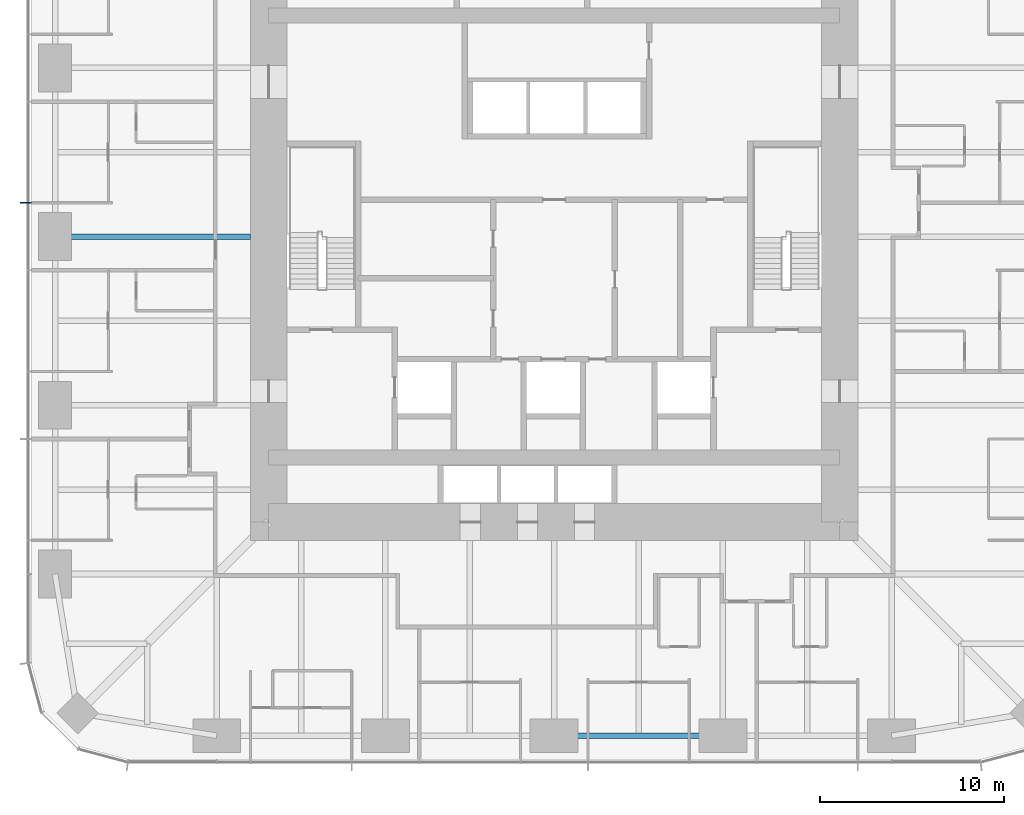
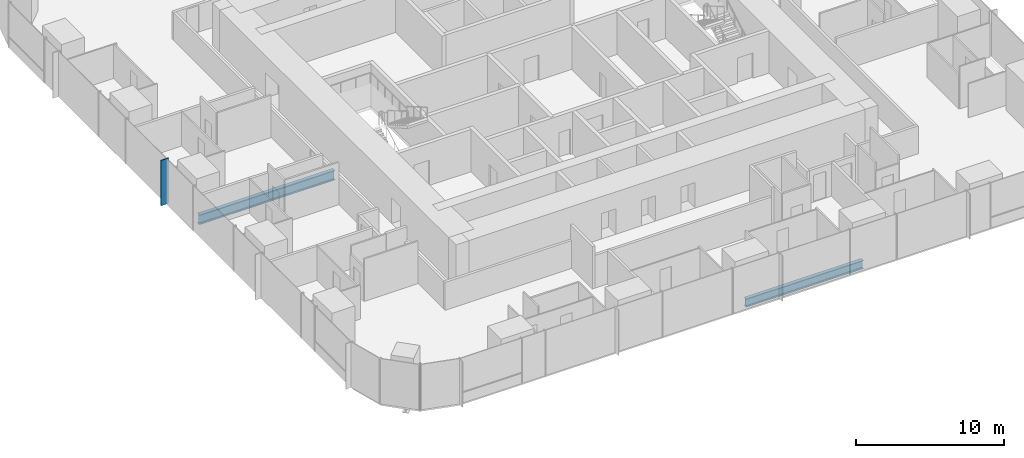
# One storey, part 3 of 13: 2 beams, 1 member, 1 element without a shape of its own.
"""IFC4 building model written with IfcOpenShell, lengths in metres."""

from ifc_helpers import new_model, si_unit, direction, frame, origin, origin_2d, place, context, subcontext, project, spatial, rectangle, i_section, extrude, material, material_profile, profile_set, type_object, element, aggregate, save


model = new_model("IFC4")

# Units and contexts
model_context = context("Model", 3, precision=1e-05, world=origin(), true_north=direction((0.0, 1.0)))
body_context = subcontext(model_context, "Body", "Model", "MODEL_VIEW")
ifc_project = project(units=[si_unit("LENGTHUNIT", "METRE"), si_unit("AREAUNIT", "SQUARE_METRE"), si_unit("VOLUMEUNIT", "CUBIC_METRE"), si_unit("PLANEANGLEUNIT", "RADIAN"), si_unit("MASSUNIT", "GRAM", prefix="KILO")], contexts=[model_context])

# Site, building, storey
site_placement = place(None, origin())
site = spatial("IfcSite", under=ifc_project, at=site_placement, CompositionType="ELEMENT")
building_placement = place(site_placement, origin())
building = spatial("IfcBuilding", under=site, at=building_placement, Name="Khuree Lantern Residences", CompositionType="ELEMENT")
storey_placement = place(building_placement, frame((0.0, 0.0, 156.0)))
storey = spatial("IfcBuildingStorey", under=building, at=storey_placement, Name="L39", CompositionType="ELEMENT", Elevation=156.0)

# Beam
ifc_material_1 = material(Name="Steel S355", Category="steel")
ifc_material_profile_1 = material_profile(ifc_material_1, i_section(OverallWidth=0.300048828125, OverallDepth=0.68994140625, WebThickness=0.014404296875, FlangeThickness=0.027099609375, FilletRadius=0.027099609375, at=origin_2d()), Name="HE 700 A")
ifc_profile_set_1 = profile_set([ifc_material_profile_1], Name="Steel S355")
beam_type_1 = type_object("IfcBeamType", Name="E-24 SPANDREL BEAM HE 700 A", PredefinedType="SPANDREL", material=ifc_profile_set_1)
beam_1_placement = place(storey_placement, frame((9.159912109375, -27.10009765625, -0.594970703125), z_axis=(-1.0, 0.0, 0.0), x_axis=(0.0, -1.0, 0.0)))
element("IfcBeam", 1, at=beam_1_placement, inside=storey, type_object=beam_type_1, Name="Spandrel beam S3", PredefinedType="SPANDREL", context=body_context, shape_type="SweptSolid", body=[
    extrude(i_section(OverallWidth=0.300048828125, OverallDepth=0.68994140625, WebThickness=0.014404296875, FlangeThickness=0.027099609375, FilletRadius=0.027099609375, at=origin_2d()), origin(), (0.0, 0.0, 1.0), 9.159912109375),
])

# Curtain wall, member
ifc_material_2 = material(Name="Bronze anodised aluminium", Category="aluminium")
curtain_wall_type = type_object("IfcCurtainWallType", Name="CW-T1 TOWER FACE CURTAIN WALL", PredefinedType="USERDEFINED", material=ifc_material_2)
curtain_wall_placement = place(storey_placement, origin())
curtain_wall = element("IfcCurtainWall", 2, at=curtain_wall_placement, inside=storey, type_object=curtain_wall_type, Name="L39 WEST FACE CURTAIN WALL", ObjectType="Stick-built curtain wall", PredefinedType="USERDEFINED")
ifc_material_profile_2 = material_profile(ifc_material_2, rectangle(XDim=0.06494140625, YDim=0.60009765625, at=origin_2d()), Name="F1 65X600")
ifc_profile_set_2 = profile_set([ifc_material_profile_2], Name="Bronze anodised aluminium")
member_type = type_object("IfcMemberType", Name="F1 BRONZE FIN MULLION TOWER 65X600", PredefinedType="MULLION", material=ifc_profile_set_2)
member_placement = place(storey_placement, frame((-28.699951171875, 1.83203125, 0.0), z_axis=(0.0, 0.0, 1.0), x_axis=(0.0, -1.0, 0.0)))
member = element("IfcMember", 3, at=member_placement, type_object=member_type, Name="L39 WEST FACE FIN MULLION 37", PredefinedType="MULLION", context=body_context, shape_type="SweptSolid", body=[
    extrude(rectangle(XDim=0.06494140625, YDim=0.60009765625, at=origin_2d()), origin(), (0.0, 0.0, 1.0), 3.75),
])
aggregate(curtain_wall, [member])

# Beam
ifc_material_profile_3 = material_profile(ifc_material_1, i_section(OverallWidth=0.300048828125, OverallDepth=0.800048828125, WebThickness=0.017578125, FlangeThickness=0.032958984375, FilletRadius=0.030029296875, at=origin_2d()), Name="HE 800 B")
ifc_profile_set_3 = profile_set([ifc_material_profile_3], Name="Steel S355")
beam_type_2 = type_object("IfcBeamType", Name="G-24 GIRDER HE 800 B", PredefinedType="BEAM", material=ifc_profile_set_3)
beam_2_placement = place(storey_placement, frame((-27.10009765625, 0.0, -0.64990234375), z_axis=(1.0, 0.0, 0.0), x_axis=(0.0, 1.0, 0.0)))
element("IfcBeam", 4, at=beam_2_placement, inside=storey, type_object=beam_type_2, Name="Girder W3", PredefinedType="BEAM", context=body_context, shape_type="SweptSolid", body=[
    extrude(i_section(OverallWidth=0.300048828125, OverallDepth=0.800048828125, WebThickness=0.017578125, FlangeThickness=0.032958984375, FilletRadius=0.030029296875, at=origin_2d()), origin(), (0.0, 0.0, 1.0), 10.60009765625),
])

save(model, "model.ifc")
